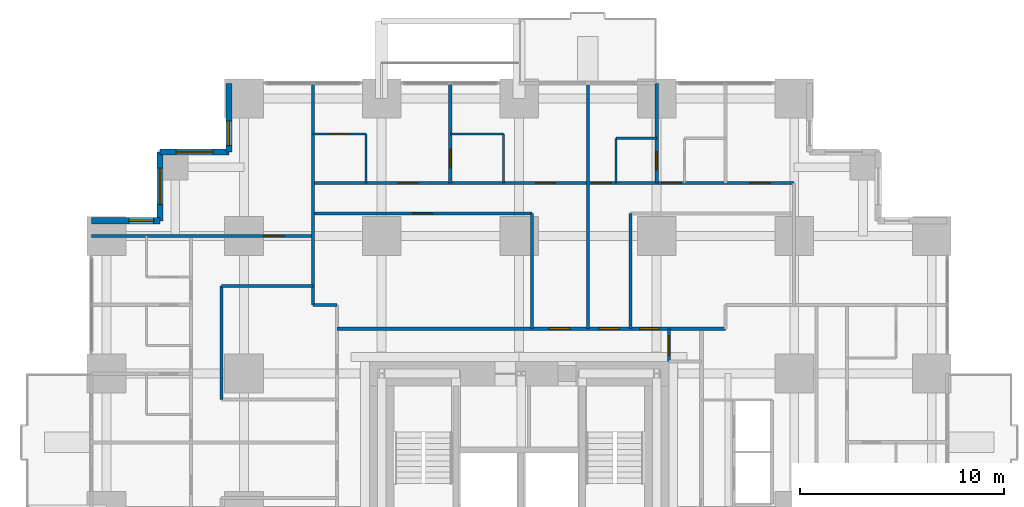
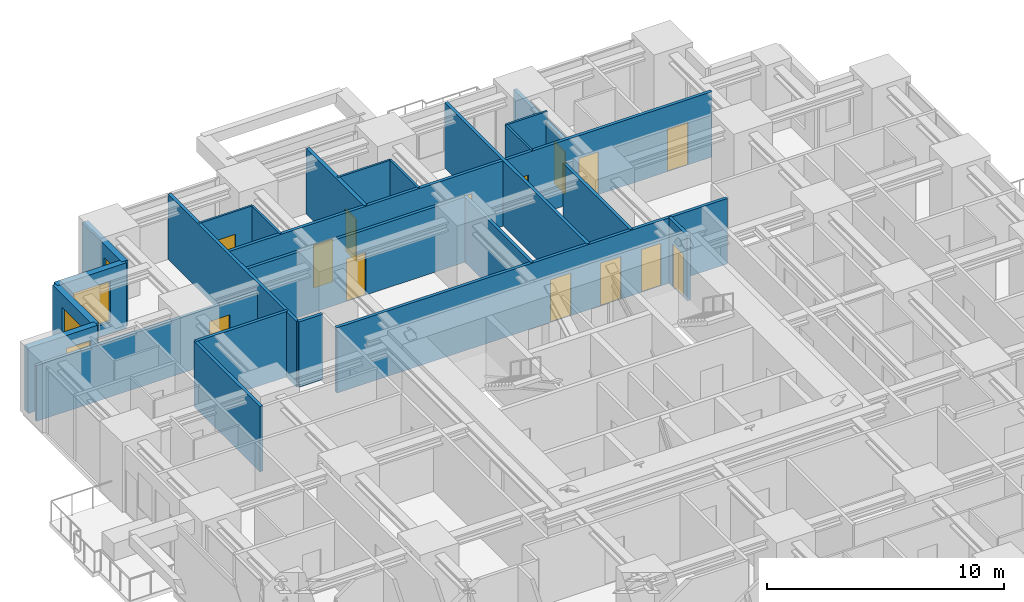
# One storey, part 12 of 14: 24 walls, 14 doors, 4 windows, 18 openings.
"""IFC4 building model written with IfcOpenShell, lengths in metres."""

from ifc_helpers import new_model, si_unit, direction, frame, frame_2d, origin, place, context, subcontext, project, spatial, rectangle, extrude, material, layer, layer_set, type_object, element, fill, save


model = new_model("IFC4")

# Units and contexts
model_context = context("Model", 3, precision=1e-05, world=origin(), true_north=direction((0.0, 1.0)))
body_context = subcontext(model_context, "Body", "Model", "MODEL_VIEW")
ifc_project = project(units=[si_unit("LENGTHUNIT", "METRE"), si_unit("AREAUNIT", "SQUARE_METRE"), si_unit("VOLUMEUNIT", "CUBIC_METRE"), si_unit("PLANEANGLEUNIT", "RADIAN"), si_unit("MASSUNIT", "GRAM", prefix="KILO")], contexts=[model_context])

# Site, building, storey
site_placement = place(None, origin())
site = spatial("IfcSite", under=ifc_project, at=site_placement, CompositionType="ELEMENT")
building_placement = place(site_placement, origin())
building = spatial("IfcBuilding", under=site, at=building_placement, Name="Nyansa Garden Tower", CompositionType="ELEMENT")
storey_placement = place(building_placement, frame((0.0, 0.0, 21.60009765625)))
storey = spatial("IfcBuildingStorey", under=building, at=storey_placement, Name="L05", CompositionType="ELEMENT", Elevation=21.60009765625)

# Wall, opening, door
ifc_material_1 = material(Name="Dense blockwork, plastered both sides, 55 dB", Category="masonry")
ifc_layer_1 = layer(ifc_material_1, 0.175048828125)
ifc_layer_set_1 = layer_set([ifc_layer_1], Name="Acoustic party wall PW175")
wall_type_1 = type_object("IfcWallType", Name="Acoustic party wall PW175", PredefinedType="PARTITIONING", material=ifc_layer_set_1)
wall_1_placement = place(storey_placement, frame((16.875, 36.35009765625, 0.0), z_axis=(0.0, 0.0, 1.0), x_axis=(0.0, 1.0, 0.0)))
wall_1 = element("IfcWall", 1, at=wall_1_placement, inside=storey, type_object=wall_type_1, Name="Party wall", PredefinedType="PARTITIONING", context=body_context, shape_type="SweptSolid", body=[
    extrude(rectangle(XDim=4.8837890625, YDim=0.175048828125, at=frame_2d((2.44189453125, 0.0))), origin(), (0.0, 0.0, 1.0), 3.375),
])
opening_1_placement = place(wall_1_placement, frame((0.75, 0.0, 0.0)))
opening_1 = element("IfcOpeningElement", 2, at=opening_1_placement, cuts=wall_1, Name="Opening D02", PredefinedType="OPENING", context=body_context, shape_type="SweptSolid", body=[
    extrude(rectangle(XDim=0.89990234375, YDim=2.199951171875, at=frame_2d((0.449951171875, 1.10009765625))), frame((0.0, 0.097412109375, 0.0), z_axis=(0.0, -1.0, 0.0), x_axis=(1.0, 0.0, 0.0)), (0.0, 0.0, 1.0), 0.195068359375),
])
ifc_material_2 = material(Name="Timber flush door", Category="wood")
door_type_1 = type_object("IfcDoorType", Name="En-suite door D02 900x2200", OperationType="SINGLE_SWING_RIGHT", PredefinedType="DOOR", material=ifc_material_2)
door_1_placement = place(opening_1_placement, origin())
door_1 = element("IfcDoor", 3, at=door_1_placement, inside=storey, type_object=door_type_1, Name="Door L05-056", OperationType="SINGLE_SWING_RIGHT", OverallHeight=2.199951171875, OverallWidth=0.89990234375, PredefinedType="DOOR", context=body_context, shape_type="SweptSolid", body=[
    extrude(rectangle(XDim=0.89990234375, YDim=2.199951171875, at=frame_2d((0.449951171875, 1.10009765625))), frame((0.0, 0.02490234375, 0.0), z_axis=(0.0, -1.0, 0.0), x_axis=(1.0, 0.0, 0.0)), (0.0, 0.0, 1.0), 0.050048828125),
])
fill(opening_1, door_1)

wall_2_placement = place(storey_placement, frame((27.0, 36.35009765625, 0.0), z_axis=(0.0, 0.0, 1.0), x_axis=(0.0, 1.0, 0.0)))
wall_2 = element("IfcWall", 4, at=wall_2_placement, inside=storey, type_object=wall_type_1, Name="Party wall", PredefinedType="PARTITIONING", context=body_context, shape_type="SweptSolid", body=[
    extrude(rectangle(XDim=4.8837890625, YDim=0.175048828125, at=frame_2d((2.44189453125, 0.0))), origin(), (0.0, 0.0, 1.0), 2.876953125),
])
opening_2_placement = place(wall_2_placement, frame((0.64990234375, 0.0, 0.0)))
opening_2 = element("IfcOpeningElement", 5, at=opening_2_placement, cuts=wall_2, Name="Opening D02", PredefinedType="OPENING", context=body_context, shape_type="SweptSolid", body=[
    extrude(rectangle(XDim=0.89990234375, YDim=2.199951171875, at=frame_2d((0.449951171875, 1.10009765625))), frame((0.0, 0.097412109375, 0.0), z_axis=(0.0, -1.0, 0.0), x_axis=(1.0, 0.0, 0.0)), (0.0, 0.0, 1.0), 0.195068359375),
])
door_2_placement = place(opening_2_placement, origin())
door_2 = element("IfcDoor", 6, at=door_2_placement, inside=storey, type_object=door_type_1, Name="Door L05-051", OperationType="SINGLE_SWING_RIGHT", OverallHeight=2.199951171875, OverallWidth=0.89990234375, PredefinedType="DOOR", context=body_context, shape_type="SweptSolid", body=[
    extrude(rectangle(XDim=0.89990234375, YDim=2.199951171875, at=frame_2d((0.449951171875, 1.10009765625))), frame((0.0, 0.02490234375, 0.0), z_axis=(0.0, -1.0, 0.0), x_axis=(1.0, 0.0, 0.0)), (0.0, 0.0, 1.0), 0.050048828125),
])
fill(opening_2, door_2)

ifc_material_3 = material(Name="Blockwork, plastered both sides", Category="masonry")
ifc_layer_2 = layer(ifc_material_3, 0.14990234375)
ifc_layer_set_2 = layer_set([ifc_layer_2], Name="Partition PW150")
wall_type_2 = type_object("IfcWallType", Name="Partition PW150", PredefinedType="PARTITIONING", material=ifc_layer_set_2)
wall_3_placement = place(storey_placement, frame((-0.73388671875, 33.75, 0.0), z_axis=(0.0, 0.0, 1.0), x_axis=(1.0, 0.0, 0.0)))
wall_3 = element("IfcWall", 7, at=wall_3_placement, inside=storey, type_object=wall_type_2, Name="Partition", PredefinedType="PARTITIONING", context=body_context, shape_type="SweptSolid", body=[
    extrude(rectangle(XDim=10.85888671875, YDim=0.14990234375, at=frame_2d((5.429443359375, 0.0))), origin(), (0.0, 0.0, 1.0), 2.876953125),
])
opening_3_placement = place(wall_3_placement, frame((8.43408203125, 0.0, 0.0)))
opening_3 = element("IfcOpeningElement", 8, at=opening_3_placement, cuts=wall_3, Name="Opening D03", PredefinedType="OPENING", context=body_context, shape_type="SweptSolid", body=[
    extrude(rectangle(XDim=1.0, YDim=2.199951171875, at=frame_2d((0.5, 1.10009765625))), frame((0.0, 0.0849609375, 0.0), z_axis=(0.0, -1.0, 0.0), x_axis=(1.0, 0.0, 0.0)), (0.0, 0.0, 1.0), 0.169921875),
])
ifc_material_4 = material(Name="Timber flush door, 60 minute fire resisting", Category="wood")
door_type_2 = type_object("IfcDoorType", Name="Cluster entrance door D03 1000x2200", OperationType="SINGLE_SWING_LEFT", PredefinedType="DOOR", material=ifc_material_4)
door_3_placement = place(opening_3_placement, origin())
door_3 = element("IfcDoor", 9, at=door_3_placement, inside=storey, type_object=door_type_2, Name="Door L05-060", OperationType="SINGLE_SWING_LEFT", OverallHeight=2.199951171875, OverallWidth=1.0, PredefinedType="DOOR", context=body_context, shape_type="SweptSolid", body=[
    extrude(rectangle(XDim=1.0, YDim=2.199951171875, at=frame_2d((0.5, 1.10009765625))), frame((0.0, 0.02490234375, 0.0), z_axis=(0.0, -1.0, 0.0), x_axis=(1.0, 0.0, 0.0)), (0.0, 0.0, 1.0), 0.050048828125),
])
fill(opening_3, door_3)

# Walls
wall_4_placement = place(storey_placement, frame((5.64990234375, 25.72509765625, 0.0), z_axis=(0.0, 0.0, 1.0), x_axis=(0.0, 1.0, 0.0)))
element("IfcWall", 10, at=wall_4_placement, inside=storey, type_object=wall_type_2, Name="Partition", PredefinedType="PARTITIONING", context=body_context, shape_type="SweptSolid", body=[
    extrude(rectangle(XDim=5.574951171875, YDim=0.14990234375, at=frame_2d((2.78759765625, 0.0))), origin(), (0.0, 0.0, 1.0), 3.375),
])
wall_5_placement = place(storey_placement, frame((5.64990234375, 31.300048828125, 0.0), z_axis=(0.0, 0.0, 1.0), x_axis=(1.0, 0.0, 0.0)))
element("IfcWall", 11, at=wall_5_placement, inside=storey, type_object=wall_type_2, Name="Partition", PredefinedType="PARTITIONING", context=body_context, shape_type="SweptSolid", body=[
    extrude(rectangle(XDim=4.47509765625, YDim=0.14990234375, at=frame_2d((2.237548828125, 0.0))), origin(), (0.0, 0.0, 1.0), 3.375),
])
wall_6_placement = place(storey_placement, frame((10.125, 30.375, 0.0), z_axis=(0.0, 0.0, 1.0), x_axis=(0.0, 1.0, 0.0)))
element("IfcWall", 12, at=wall_6_placement, inside=storey, type_object=wall_type_2, Name="Partition", PredefinedType="PARTITIONING", context=body_context, shape_type="SweptSolid", body=[
    extrude(rectangle(XDim=10.85888671875, YDim=0.14990234375, at=frame_2d((5.429443359375, 0.0))), origin(), (0.0, 0.0, 1.0), 3.375),
])
wall_7_placement = place(storey_placement, frame((10.125, 30.375, 0.0), z_axis=(0.0, 0.0, 1.0), x_axis=(1.0, 0.0, 0.0)))
element("IfcWall", 13, at=wall_7_placement, inside=storey, type_object=wall_type_2, Name="Partition", PredefinedType="PARTITIONING", context=body_context, shape_type="SweptSolid", body=[
    extrude(rectangle(XDim=1.175048828125, YDim=0.14990234375, at=frame_2d((0.58740234375, 0.0))), origin(), (0.0, 0.0, 1.0), 3.375),
])

# Wall, opening, door
wall_8_placement = place(storey_placement, frame((10.125, 34.85009765625, 0.0), z_axis=(0.0, 0.0, 1.0), x_axis=(1.0, 0.0, 0.0)))
wall_8 = element("IfcWall", 14, at=wall_8_placement, inside=storey, type_object=wall_type_2, Name="Partition", PredefinedType="PARTITIONING", context=body_context, shape_type="SweptSolid", body=[
    extrude(rectangle(XDim=10.762451171875, YDim=0.14990234375, at=frame_2d((5.38134765625, 0.0))), origin(), (0.0, 0.0, 1.0), 3.375),
])
opening_4_placement = place(wall_8_placement, frame((4.89990234375, 0.0, 0.0)))
opening_4 = element("IfcOpeningElement", 15, at=opening_4_placement, cuts=wall_8, Name="Opening D01", PredefinedType="OPENING", context=body_context, shape_type="SweptSolid", body=[
    extrude(rectangle(XDim=0.949951171875, YDim=2.199951171875, at=frame_2d((0.47509765625, 1.10009765625))), frame((0.0, 0.0849609375, 0.0), z_axis=(0.0, -1.0, 0.0), x_axis=(1.0, 0.0, 0.0)), (0.0, 0.0, 1.0), 0.169921875),
])
ifc_material_5 = material(Name="Timber flush door, 30 minute fire resisting", Category="wood")
door_type_3 = type_object("IfcDoorType", Name="Bedroom door D01 950x2200", OperationType="SINGLE_SWING_LEFT", PredefinedType="DOOR", material=ifc_material_5)
door_4_placement = place(opening_4_placement, origin())
door_4 = element("IfcDoor", 16, at=door_4_placement, inside=storey, type_object=door_type_3, Name="Door L05-059", OperationType="SINGLE_SWING_LEFT", OverallHeight=2.199951171875, OverallWidth=0.949951171875, PredefinedType="DOOR", context=body_context, shape_type="SweptSolid", body=[
    extrude(rectangle(XDim=0.949951171875, YDim=2.199951171875, at=frame_2d((0.47509765625, 1.10009765625))), frame((0.0, 0.02490234375, 0.0), z_axis=(0.0, -1.0, 0.0), x_axis=(1.0, 0.0, 0.0)), (0.0, 0.0, 1.0), 0.050048828125),
])
fill(opening_4, door_4)

# Wall, openings, doors
wall_9_placement = place(storey_placement, frame((10.125, 36.35009765625, 0.0), z_axis=(0.0, 0.0, 1.0), x_axis=(1.0, 0.0, 0.0)))
wall_9 = element("IfcWall", 17, at=wall_9_placement, inside=storey, type_object=wall_type_2, Name="Partition", PredefinedType="PARTITIONING", context=body_context, shape_type="SweptSolid", body=[
    extrude(rectangle(XDim=23.625, YDim=0.14990234375, at=frame_2d((11.8125, 0.0))), origin(), (0.0, 0.0, 1.0), 3.375),
])
opening_5_placement = place(wall_9_placement, frame((21.449951171875, 0.0, 0.0)))
opening_5 = element("IfcOpeningElement", 18, at=opening_5_placement, cuts=wall_9, Name="Opening D03", PredefinedType="OPENING", context=body_context, shape_type="SweptSolid", body=[
    extrude(rectangle(XDim=1.0, YDim=2.199951171875, at=frame_2d((0.5, 1.10009765625))), frame((0.0, 0.0849609375, 0.0), z_axis=(0.0, -1.0, 0.0), x_axis=(1.0, 0.0, 0.0)), (0.0, 0.0, 1.0), 0.169921875),
])
opening_6_placement = place(wall_9_placement, frame((17.125, 0.0, 0.0)))
opening_6 = element("IfcOpeningElement", 19, at=opening_6_placement, cuts=wall_9, Name="Opening D01", PredefinedType="OPENING", context=body_context, shape_type="SweptSolid", body=[
    extrude(rectangle(XDim=0.949951171875, YDim=2.199951171875, at=frame_2d((0.47509765625, 1.10009765625))), frame((0.0, 0.0849609375, 0.0), z_axis=(0.0, -1.0, 0.0), x_axis=(1.0, 0.0, 0.0)), (0.0, 0.0, 1.0), 0.169921875),
])
opening_7_placement = place(wall_9_placement, frame((13.699951171875, 0.0, 0.0)))
opening_7 = element("IfcOpeningElement", 20, at=opening_7_placement, cuts=wall_9, Name="Opening D01", PredefinedType="OPENING", context=body_context, shape_type="SweptSolid", body=[
    extrude(rectangle(XDim=0.949951171875, YDim=2.199951171875, at=frame_2d((0.47509765625, 1.10009765625))), frame((0.0, 0.0849609375, 0.0), z_axis=(0.0, -1.0, 0.0), x_axis=(1.0, 0.0, 0.0)), (0.0, 0.0, 1.0), 0.169921875),
])
opening_8_placement = place(wall_9_placement, frame((4.199951171875, 0.0, 0.0)))
opening_8 = element("IfcOpeningElement", 21, at=opening_8_placement, cuts=wall_9, Name="Opening D14", PredefinedType="OPENING", context=body_context, shape_type="SweptSolid", body=[
    extrude(rectangle(XDim=0.949951171875, YDim=2.199951171875, at=frame_2d((0.47509765625, 1.10009765625))), frame((0.0, 0.0849609375, 0.0), z_axis=(0.0, -1.0, 0.0), x_axis=(1.0, 0.0, 0.0)), (0.0, 0.0, 1.0), 0.169921875),
])
opening_9_placement = place(wall_9_placement, frame((10.949951171875, 0.0, 0.0)))
opening_9 = element("IfcOpeningElement", 22, at=opening_9_placement, cuts=wall_9, Name="Opening D14", PredefinedType="OPENING", context=body_context, shape_type="SweptSolid", body=[
    extrude(rectangle(XDim=0.949951171875, YDim=2.199951171875, at=frame_2d((0.47509765625, 1.10009765625))), frame((0.0, 0.0849609375, 0.0), z_axis=(0.0, -1.0, 0.0), x_axis=(1.0, 0.0, 0.0)), (0.0, 0.0, 1.0), 0.169921875),
])
door_5_placement = place(opening_6_placement, origin())
door_5 = element("IfcDoor", 23, at=door_5_placement, inside=storey, type_object=door_type_3, Name="Door L05-048", OperationType="SINGLE_SWING_LEFT", OverallHeight=2.199951171875, OverallWidth=0.949951171875, PredefinedType="DOOR", context=body_context, shape_type="SweptSolid", body=[
    extrude(rectangle(XDim=0.949951171875, YDim=2.199951171875, at=frame_2d((0.47509765625, 1.10009765625))), frame((0.0, 0.02490234375, 0.0), z_axis=(0.0, -1.0, 0.0), x_axis=(1.0, 0.0, 0.0)), (0.0, 0.0, 1.0), 0.050048828125),
])
fill(opening_6, door_5)
door_6_placement = place(opening_7_placement, origin())
door_6 = element("IfcDoor", 24, at=door_6_placement, inside=storey, type_object=door_type_3, Name="Door L05-050", OperationType="SINGLE_SWING_LEFT", OverallHeight=2.199951171875, OverallWidth=0.949951171875, PredefinedType="DOOR", context=body_context, shape_type="SweptSolid", body=[
    extrude(rectangle(XDim=0.949951171875, YDim=2.199951171875, at=frame_2d((0.47509765625, 1.10009765625))), frame((0.0, 0.02490234375, 0.0), z_axis=(0.0, -1.0, 0.0), x_axis=(1.0, 0.0, 0.0)), (0.0, 0.0, 1.0), 0.050048828125),
])
fill(opening_7, door_6)
door_7_placement = place(opening_5_placement, origin())
door_7 = element("IfcDoor", 25, at=door_7_placement, inside=storey, type_object=door_type_2, Name="Door L05-047", OperationType="SINGLE_SWING_LEFT", OverallHeight=2.199951171875, OverallWidth=1.0, PredefinedType="DOOR", context=body_context, shape_type="SweptSolid", body=[
    extrude(rectangle(XDim=1.0, YDim=2.199951171875, at=frame_2d((0.5, 1.10009765625))), frame((0.0, 0.02490234375, 0.0), z_axis=(0.0, -1.0, 0.0), x_axis=(1.0, 0.0, 0.0)), (0.0, 0.0, 1.0), 0.050048828125),
])
fill(opening_5, door_7)
ifc_material_6 = material(Name="Timber flush door, 60 minute fire resisting, self-closing", Category="wood")
door_type_4 = type_object("IfcDoorType", Name="Studio entrance door D14 950x2200", OperationType="SINGLE_SWING_LEFT", PredefinedType="DOOR", material=ifc_material_6)
door_8_placement = place(opening_8_placement, origin())
door_8 = element("IfcDoor", 26, at=door_8_placement, inside=storey, type_object=door_type_4, Name="Door L05-053", OperationType="SINGLE_SWING_LEFT", OverallHeight=2.199951171875, OverallWidth=0.949951171875, PredefinedType="DOOR", context=body_context, shape_type="SweptSolid", body=[
    extrude(rectangle(XDim=0.949951171875, YDim=2.199951171875, at=frame_2d((0.47509765625, 1.10009765625))), frame((0.0, 0.02490234375, 0.0), z_axis=(0.0, -1.0, 0.0), x_axis=(1.0, 0.0, 0.0)), (0.0, 0.0, 1.0), 0.050048828125),
])
fill(opening_8, door_8)
door_9_placement = place(opening_9_placement, origin())
door_9 = element("IfcDoor", 27, at=door_9_placement, inside=storey, type_object=door_type_4, Name="Door L05-055", OperationType="SINGLE_SWING_LEFT", OverallHeight=2.199951171875, OverallWidth=0.949951171875, PredefinedType="DOOR", context=body_context, shape_type="SweptSolid", body=[
    extrude(rectangle(XDim=0.949951171875, YDim=2.199951171875, at=frame_2d((0.47509765625, 1.10009765625))), frame((0.0, 0.02490234375, 0.0), z_axis=(0.0, -1.0, 0.0), x_axis=(1.0, 0.0, 0.0)), (0.0, 0.0, 1.0), 0.050048828125),
])
fill(opening_9, door_9)

wall_10_placement = place(storey_placement, frame((11.300048828125, 29.199951171875, 0.0), z_axis=(0.0, 0.0, 1.0), x_axis=(1.0, 0.0, 0.0)))
wall_10 = element("IfcWall", 28, at=wall_10_placement, inside=storey, type_object=wall_type_2, Name="Partition", PredefinedType="PARTITIONING", context=body_context, shape_type="SweptSolid", body=[
    extrude(rectangle(XDim=19.074951171875, YDim=0.14990234375, at=frame_2d((9.53759765625, 0.0))), origin(), (0.0, 0.0, 1.0), 3.375),
])
opening_10_placement = place(wall_10_placement, frame((12.875, 0.0, 0.0)))
opening_10 = element("IfcOpeningElement", 29, at=opening_10_placement, cuts=wall_10, Name="Opening D03", PredefinedType="OPENING", context=body_context, shape_type="SweptSolid", body=[
    extrude(rectangle(XDim=1.0, YDim=2.199951171875, at=frame_2d((0.5, 1.10009765625))), frame((0.0, 0.0849609375, 0.0), z_axis=(0.0, -1.0, 0.0), x_axis=(1.0, 0.0, 0.0)), (0.0, 0.0, 1.0), 0.169921875),
])
opening_11_placement = place(wall_10_placement, frame((10.4375, 0.0, 0.0)))
opening_11 = element("IfcOpeningElement", 30, at=opening_11_placement, cuts=wall_10, Name="Opening D03", PredefinedType="OPENING", context=body_context, shape_type="SweptSolid", body=[
    extrude(rectangle(XDim=1.0, YDim=2.199951171875, at=frame_2d((0.5, 1.10009765625))), frame((0.0, 0.0849609375, 0.0), z_axis=(0.0, -1.0, 0.0), x_axis=(1.0, 0.0, 0.0)), (0.0, 0.0, 1.0), 0.169921875),
])
opening_12_placement = place(wall_10_placement, frame((14.875, 0.0, 0.0)))
opening_12 = element("IfcOpeningElement", 31, at=opening_12_placement, cuts=wall_10, Name="Opening D01", PredefinedType="OPENING", context=body_context, shape_type="SweptSolid", body=[
    extrude(rectangle(XDim=0.949951171875, YDim=2.199951171875, at=frame_2d((0.47509765625, 1.10009765625))), frame((0.0, 0.0849609375, 0.0), z_axis=(0.0, -1.0, 0.0), x_axis=(1.0, 0.0, 0.0)), (0.0, 0.0, 1.0), 0.169921875),
])
door_10_placement = place(opening_12_placement, origin())
door_10 = element("IfcDoor", 32, at=door_10_placement, inside=storey, type_object=door_type_3, Name="Door L05-058", OperationType="SINGLE_SWING_LEFT", OverallHeight=2.199951171875, OverallWidth=0.949951171875, PredefinedType="DOOR", context=body_context, shape_type="SweptSolid", body=[
    extrude(rectangle(XDim=0.949951171875, YDim=2.199951171875, at=frame_2d((0.47509765625, 1.10009765625))), frame((0.0, 0.02490234375, 0.0), z_axis=(0.0, -1.0, 0.0), x_axis=(1.0, 0.0, 0.0)), (0.0, 0.0, 1.0), 0.050048828125),
])
fill(opening_12, door_10)
door_11_placement = place(opening_10_placement, origin())
door_11 = element("IfcDoor", 33, at=door_11_placement, inside=storey, type_object=door_type_2, Name="Door L05-052", OperationType="SINGLE_SWING_LEFT", OverallHeight=2.199951171875, OverallWidth=1.0, PredefinedType="DOOR", context=body_context, shape_type="SweptSolid", body=[
    extrude(rectangle(XDim=1.0, YDim=2.199951171875, at=frame_2d((0.5, 1.10009765625))), frame((0.0, 0.02490234375, 0.0), z_axis=(0.0, -1.0, 0.0), x_axis=(1.0, 0.0, 0.0)), (0.0, 0.0, 1.0), 0.050048828125),
])
fill(opening_10, door_11)
door_12_placement = place(opening_11_placement, origin())
door_12 = element("IfcDoor", 34, at=door_12_placement, inside=storey, type_object=door_type_2, Name="Door L05-057", OperationType="SINGLE_SWING_LEFT", OverallHeight=2.199951171875, OverallWidth=1.0, PredefinedType="DOOR", context=body_context, shape_type="SweptSolid", body=[
    extrude(rectangle(XDim=1.0, YDim=2.199951171875, at=frame_2d((0.5, 1.10009765625))), frame((0.0, 0.02490234375, 0.0), z_axis=(0.0, -1.0, 0.0), x_axis=(1.0, 0.0, 0.0)), (0.0, 0.0, 1.0), 0.050048828125),
])
fill(opening_11, door_12)

# Walls
wall_11_placement = place(storey_placement, frame((20.886962890625, 29.199951171875, 0.0), z_axis=(0.0, 0.0, 1.0), x_axis=(0.0, 1.0, 0.0)))
element("IfcWall", 35, at=wall_11_placement, inside=storey, type_object=wall_type_2, Name="Partition", PredefinedType="PARTITIONING", context=body_context, shape_type="SweptSolid", body=[
    extrude(rectangle(XDim=5.650146484375, YDim=0.14990234375, at=frame_2d((2.8251953125, 0.0))), origin(), (0.0, 0.0, 1.0), 3.375),
])
wall_12_placement = place(storey_placement, frame((23.625, 29.199951171875, 0.0), z_axis=(0.0, 0.0, 1.0), x_axis=(0.0, 1.0, 0.0)))
element("IfcWall", 36, at=wall_12_placement, inside=storey, type_object=wall_type_2, Name="Partition", PredefinedType="PARTITIONING", context=body_context, shape_type="SweptSolid", body=[
    extrude(rectangle(XDim=12.033935546875, YDim=0.14990234375, at=frame_2d((6.01708984375, 0.0))), origin(), (0.0, 0.0, 1.0), 3.375),
])
wall_13_placement = place(storey_placement, frame((25.72509765625, 29.199951171875, 0.0), z_axis=(0.0, 0.0, 1.0), x_axis=(0.0, 1.0, 0.0)))
element("IfcWall", 37, at=wall_13_placement, inside=storey, type_object=wall_type_2, Name="Partition", PredefinedType="PARTITIONING", context=body_context, shape_type="SweptSolid", body=[
    extrude(rectangle(XDim=5.650146484375, YDim=0.14990234375, at=frame_2d((2.8251953125, 0.0))), origin(), (0.0, 0.0, 1.0), 3.375),
])

# Wall, opening, door
wall_14_placement = place(storey_placement, frame((27.60009765625, 27.60009765625, 0.0), z_axis=(0.0, 0.0, 1.0), x_axis=(0.0, 1.0, 0.0)))
wall_14 = element("IfcWall", 38, at=wall_14_placement, inside=storey, type_object=wall_type_2, Name="Partition", PredefinedType="PARTITIONING", context=body_context, shape_type="SweptSolid", body=[
    extrude(rectangle(XDim=1.599853515625, YDim=0.14990234375, at=frame_2d((0.7998046875, 0.0))), origin(), (0.0, 0.0, 1.0), 3.375),
])
opening_13_placement = place(wall_14_placement, frame((0.300048828125, 0.0, 0.0)))
opening_13 = element("IfcOpeningElement", 39, at=opening_13_placement, cuts=wall_14, Name="Opening D01", PredefinedType="OPENING", context=body_context, shape_type="SweptSolid", body=[
    extrude(rectangle(XDim=0.949951171875, YDim=2.199951171875, at=frame_2d((0.47509765625, 1.10009765625))), frame((0.0, 0.0849609375, 0.0), z_axis=(0.0, -1.0, 0.0), x_axis=(1.0, 0.0, 0.0)), (0.0, 0.0, 1.0), 0.169921875),
])
door_13_placement = place(opening_13_placement, origin())
door_13 = element("IfcDoor", 40, at=door_13_placement, inside=storey, type_object=door_type_3, Name="Door L05-017", OperationType="SINGLE_SWING_LEFT", OverallHeight=2.199951171875, OverallWidth=0.949951171875, PredefinedType="DOOR", context=body_context, shape_type="SweptSolid", body=[
    extrude(rectangle(XDim=0.949951171875, YDim=2.199951171875, at=frame_2d((0.47509765625, 1.10009765625))), frame((0.0, 0.02490234375, 0.0), z_axis=(0.0, -1.0, 0.0), x_axis=(1.0, 0.0, 0.0)), (0.0, 0.0, 1.0), 0.050048828125),
])
fill(opening_13, door_13)

# Wall, opening, window
ifc_material_7 = material(Name="Turquoise glazed tile on concrete blockwork", Category="masonry")
ifc_layer_3 = layer(ifc_material_7, 0.300048828125)
ifc_layer_set_3 = layer_set([ifc_layer_3], Name="Tiled corner wall TW300")
wall_type_3 = type_object("IfcWallType", Name="Tiled corner wall TW300", PredefinedType="SOLIDWALL", material=ifc_layer_set_3)
wall_15_placement = place(storey_placement, frame((6.0, 41.25, 0.0), z_axis=(0.0, 0.0, 1.0), x_axis=(0.0, -1.0, 0.0)))
wall_15 = element("IfcWall", 41, at=wall_15_placement, inside=storey, type_object=wall_type_3, Name="Tiled corner wall L05", PredefinedType="SOLIDWALL", context=body_context, shape_type="SweptSolid", body=[
    extrude(rectangle(XDim=3.375, YDim=0.300048828125, at=frame_2d((1.6875, 0.0))), origin(), (0.0, 0.0, 1.0), 3.375),
])
opening_14_placement = place(wall_15_placement, frame((1.857421875, 0.0, 0.89990234375)))
opening_14 = element("IfcOpeningElement", 42, at=opening_14_placement, cuts=wall_15, Name="Opening W4", PredefinedType="OPENING", context=body_context, shape_type="SweptSolid", body=[
    extrude(rectangle(XDim=1.199951171875, YDim=1.800048828125, at=frame_2d((0.60009765625, 0.89990234375))), frame((0.0, 0.159912109375, 0.0), z_axis=(0.0, -1.0, 0.0), x_axis=(1.0, 0.0, 0.0)), (0.0, 0.0, 1.0), 0.320068359375),
])
ifc_material_8 = material(Name="Black aluminium frame, dark tinted double glazing", Category="aluminium")
window_type_1 = type_object("IfcWindowType", Name="Window W4 1200x1800", PartitioningType="SINGLE_PANEL", PredefinedType="WINDOW", material=ifc_material_8)
window_1_placement = place(opening_14_placement, origin())
window_1 = element("IfcWindow", 43, at=window_1_placement, inside=storey, type_object=window_type_1, Name="Corner window L05", OverallHeight=1.800048828125, OverallWidth=1.199951171875, PartitioningType="SINGLE_PANEL", PredefinedType="WINDOW", context=body_context, shape_type="SweptSolid", body=[
    extrude(rectangle(XDim=1.199951171875, YDim=1.800048828125, at=frame_2d((0.60009765625, 0.89990234375))), frame((0.0, 0.030029296875, 0.0), z_axis=(0.0, -1.0, 0.0), x_axis=(1.0, 0.0, 0.0)), (0.0, 0.0, 1.0), 0.06005859375),
])
fill(opening_14, window_1)

wall_16_placement = place(storey_placement, frame((6.0, 37.875, 0.0), z_axis=(0.0, 0.0, 1.0), x_axis=(-1.0, 0.0, 0.0)))
wall_16 = element("IfcWall", 44, at=wall_16_placement, inside=storey, type_object=wall_type_3, Name="Tiled corner wall L05", PredefinedType="SOLIDWALL", context=body_context, shape_type="SweptSolid", body=[
    extrude(rectangle(XDim=3.375, YDim=0.300048828125, at=frame_2d((1.6875, 0.0))), origin(), (0.0, 0.0, 1.0), 3.375),
])
opening_15_placement = place(wall_16_placement, frame((0.78759765625, 0.0, 0.60009765625)))
opening_15 = element("IfcOpeningElement", 45, at=opening_15_placement, cuts=wall_16, Name="Opening W2", PredefinedType="OPENING", context=body_context, shape_type="SweptSolid", body=[
    extrude(rectangle(XDim=1.800048828125, YDim=2.10009765625, at=frame_2d((0.89990234375, 1.050048828125))), frame((0.0, 0.159912109375, 0.0), z_axis=(0.0, -1.0, 0.0), x_axis=(1.0, 0.0, 0.0)), (0.0, 0.0, 1.0), 0.320068359375),
])
ifc_material_9 = material(Name="Black aluminium frame, dark tinted double glazing", Category="aluminium")
window_type_2 = type_object("IfcWindowType", Name="Window W2 1800x2100", PartitioningType="SINGLE_PANEL", PredefinedType="WINDOW", material=ifc_material_9)
window_2_placement = place(opening_15_placement, origin())
window_2 = element("IfcWindow", 46, at=window_2_placement, inside=storey, type_object=window_type_2, Name="Corner window L05", OverallHeight=2.10009765625, OverallWidth=1.800048828125, PartitioningType="SINGLE_PANEL", PredefinedType="WINDOW", context=body_context, shape_type="SweptSolid", body=[
    extrude(rectangle(XDim=1.800048828125, YDim=2.10009765625, at=frame_2d((0.89990234375, 1.050048828125))), frame((0.0, 0.030029296875, 0.0), z_axis=(0.0, -1.0, 0.0), x_axis=(1.0, 0.0, 0.0)), (0.0, 0.0, 1.0), 0.06005859375),
])
fill(opening_15, window_2)

wall_17_placement = place(storey_placement, frame((2.625, 37.875, 0.0), z_axis=(0.0, 0.0, 1.0), x_axis=(0.0, -1.0, 0.0)))
wall_17 = element("IfcWall", 47, at=wall_17_placement, inside=storey, type_object=wall_type_3, Name="Tiled corner wall L05", PredefinedType="SOLIDWALL", context=body_context, shape_type="SweptSolid", body=[
    extrude(rectangle(XDim=3.375, YDim=0.300048828125, at=frame_2d((1.6875, 0.0))), origin(), (0.0, 0.0, 1.0), 3.375),
])
opening_16_placement = place(wall_17_placement, frame((0.78759765625, 0.0, 0.60009765625)))
opening_16 = element("IfcOpeningElement", 48, at=opening_16_placement, cuts=wall_17, Name="Opening W2", PredefinedType="OPENING", context=body_context, shape_type="SweptSolid", body=[
    extrude(rectangle(XDim=1.800048828125, YDim=2.10009765625, at=frame_2d((0.89990234375, 1.050048828125))), frame((0.0, 0.159912109375, 0.0), z_axis=(0.0, -1.0, 0.0), x_axis=(1.0, 0.0, 0.0)), (0.0, 0.0, 1.0), 0.320068359375),
])
window_3_placement = place(opening_16_placement, origin())
window_3 = element("IfcWindow", 49, at=window_3_placement, inside=storey, type_object=window_type_2, Name="Corner window L05", OverallHeight=2.10009765625, OverallWidth=1.800048828125, PartitioningType="SINGLE_PANEL", PredefinedType="WINDOW", context=body_context, shape_type="SweptSolid", body=[
    extrude(rectangle(XDim=1.800048828125, YDim=2.10009765625, at=frame_2d((0.89990234375, 1.050048828125))), frame((0.0, 0.030029296875, 0.0), z_axis=(0.0, -1.0, 0.0), x_axis=(1.0, 0.0, 0.0)), (0.0, 0.0, 1.0), 0.06005859375),
])
fill(opening_16, window_3)

wall_18_placement = place(storey_placement, frame((2.625, 34.5, 0.0), z_axis=(0.0, 0.0, 1.0), x_axis=(-1.0, 0.0, 0.0)))
wall_18 = element("IfcWall", 50, at=wall_18_placement, inside=storey, type_object=wall_type_3, Name="Tiled corner wall L05", PredefinedType="SOLIDWALL", context=body_context, shape_type="SweptSolid", body=[
    extrude(rectangle(XDim=3.375, YDim=0.300048828125, at=frame_2d((1.6875, 0.0))), origin(), (0.0, 0.0, 1.0), 3.375),
])
opening_17_placement = place(wall_18_placement, frame((0.3173828125, 0.0, 0.89990234375)))
opening_17 = element("IfcOpeningElement", 51, at=opening_17_placement, cuts=wall_18, Name="Opening W4", PredefinedType="OPENING", context=body_context, shape_type="SweptSolid", body=[
    extrude(rectangle(XDim=1.199951171875, YDim=1.800048828125, at=frame_2d((0.60009765625, 0.89990234375))), frame((0.0, 0.159912109375, 0.0), z_axis=(0.0, -1.0, 0.0), x_axis=(1.0, 0.0, 0.0)), (0.0, 0.0, 1.0), 0.320068359375),
])
window_4_placement = place(opening_17_placement, origin())
window_4 = element("IfcWindow", 52, at=window_4_placement, inside=storey, type_object=window_type_1, Name="Corner window L05", OverallHeight=1.800048828125, OverallWidth=1.199951171875, PartitioningType="SINGLE_PANEL", PredefinedType="WINDOW", context=body_context, shape_type="SweptSolid", body=[
    extrude(rectangle(XDim=1.199951171875, YDim=1.800048828125, at=frame_2d((0.60009765625, 0.89990234375))), frame((0.0, 0.030029296875, 0.0), z_axis=(0.0, -1.0, 0.0), x_axis=(1.0, 0.0, 0.0)), (0.0, 0.0, 1.0), 0.06005859375),
])
fill(opening_17, window_4)

# Wall, opening, door
ifc_material_10 = material(Name="Moisture resistant board on steel studs, tiled", Category="steel")
ifc_layer_4 = layer(ifc_material_10, 0.10009765625)
ifc_layer_set_4 = layer_set([ifc_layer_4], Name="Wet wall PW100")
wall_type_4 = type_object("IfcWallType", Name="Wet wall PW100", PredefinedType="PARTITIONING", material=ifc_layer_set_4)
wall_19_placement = place(storey_placement, frame((10.125, 38.75, 0.0), z_axis=(0.0, 0.0, 1.0), x_axis=(1.0, 0.0, 0.0)))
wall_19 = element("IfcWall", 53, at=wall_19_placement, inside=storey, type_object=wall_type_4, Name="Wet wall", PredefinedType="PARTITIONING", context=body_context, shape_type="SweptSolid", body=[
    extrude(rectangle(XDim=2.60009765625, YDim=0.10009765625, at=frame_2d((1.300048828125, 0.0))), origin(), (0.0, 0.0, 1.0), 3.375),
])
opening_18_placement = place(wall_19_placement, frame((0.85009765625, 0.0, 0.0)))
opening_18 = element("IfcOpeningElement", 54, at=opening_18_placement, cuts=wall_19, Name="Opening D02", PredefinedType="OPENING", context=body_context, shape_type="SweptSolid", body=[
    extrude(rectangle(XDim=0.89990234375, YDim=2.199951171875, at=frame_2d((0.449951171875, 1.10009765625))), frame((0.0, 0.06005859375, 0.0), z_axis=(0.0, -1.0, 0.0), x_axis=(1.0, 0.0, 0.0)), (0.0, 0.0, 1.0), 0.1201171875),
])
door_14_placement = place(opening_18_placement, origin())
door_14 = element("IfcDoor", 55, at=door_14_placement, inside=storey, type_object=door_type_1, Name="Door L05-054", OperationType="SINGLE_SWING_RIGHT", OverallHeight=2.199951171875, OverallWidth=0.89990234375, PredefinedType="DOOR", context=body_context, shape_type="SweptSolid", body=[
    extrude(rectangle(XDim=0.89990234375, YDim=2.199951171875, at=frame_2d((0.449951171875, 1.10009765625))), frame((0.0, 0.02490234375, 0.0), z_axis=(0.0, -1.0, 0.0), x_axis=(1.0, 0.0, 0.0)), (0.0, 0.0, 1.0), 0.050048828125),
])
fill(opening_18, door_14)

# Walls
wall_20_placement = place(storey_placement, frame((12.72509765625, 36.35009765625, 0.0), z_axis=(0.0, 0.0, 1.0), x_axis=(0.0, 1.0, 0.0)))
element("IfcWall", 56, at=wall_20_placement, inside=storey, type_object=wall_type_4, Name="Wet wall", PredefinedType="PARTITIONING", context=body_context, shape_type="SweptSolid", body=[
    extrude(rectangle(XDim=2.39990234375, YDim=0.10009765625, at=frame_2d((1.199951171875, 0.0))), origin(), (0.0, 0.0, 1.0), 3.375),
])
wall_21_placement = place(storey_placement, frame((16.875, 38.75, 0.0), z_axis=(0.0, 0.0, 1.0), x_axis=(1.0, 0.0, 0.0)))
element("IfcWall", 57, at=wall_21_placement, inside=storey, type_object=wall_type_4, Name="Wet wall", PredefinedType="PARTITIONING", context=body_context, shape_type="SweptSolid", body=[
    extrude(rectangle(XDim=2.60009765625, YDim=0.10009765625, at=frame_2d((1.300048828125, 0.0))), origin(), (0.0, 0.0, 1.0), 3.375),
])
wall_22_placement = place(storey_placement, frame((19.47509765625, 36.35009765625, 0.0), z_axis=(0.0, 0.0, 1.0), x_axis=(0.0, 1.0, 0.0)))
element("IfcWall", 58, at=wall_22_placement, inside=storey, type_object=wall_type_4, Name="Wet wall", PredefinedType="PARTITIONING", context=body_context, shape_type="SweptSolid", body=[
    extrude(rectangle(XDim=2.39990234375, YDim=0.10009765625, at=frame_2d((1.199951171875, 0.0))), origin(), (0.0, 0.0, 1.0), 3.375),
])
wall_23_placement = place(storey_placement, frame((25.0, 36.35009765625, 0.0), z_axis=(0.0, 0.0, 1.0), x_axis=(0.0, 1.0, 0.0)))
element("IfcWall", 59, at=wall_23_placement, inside=storey, type_object=wall_type_4, Name="Wet wall", PredefinedType="PARTITIONING", context=body_context, shape_type="SweptSolid", body=[
    extrude(rectangle(XDim=2.199951171875, YDim=0.10009765625, at=frame_2d((1.10009765625, 0.0))), origin(), (0.0, 0.0, 1.0), 3.375),
])
wall_24_placement = place(storey_placement, frame((25.0, 38.550048828125, 0.0), z_axis=(0.0, 0.0, 1.0), x_axis=(1.0, 0.0, 0.0)))
element("IfcWall", 60, at=wall_24_placement, inside=storey, type_object=wall_type_4, Name="Wet wall", PredefinedType="PARTITIONING", context=body_context, shape_type="SweptSolid", body=[
    extrude(rectangle(XDim=2.0, YDim=0.10009765625, at=frame_2d((1.0, 0.0))), origin(), (0.0, 0.0, 1.0), 3.375),
])

save(model, "model.ifc")
